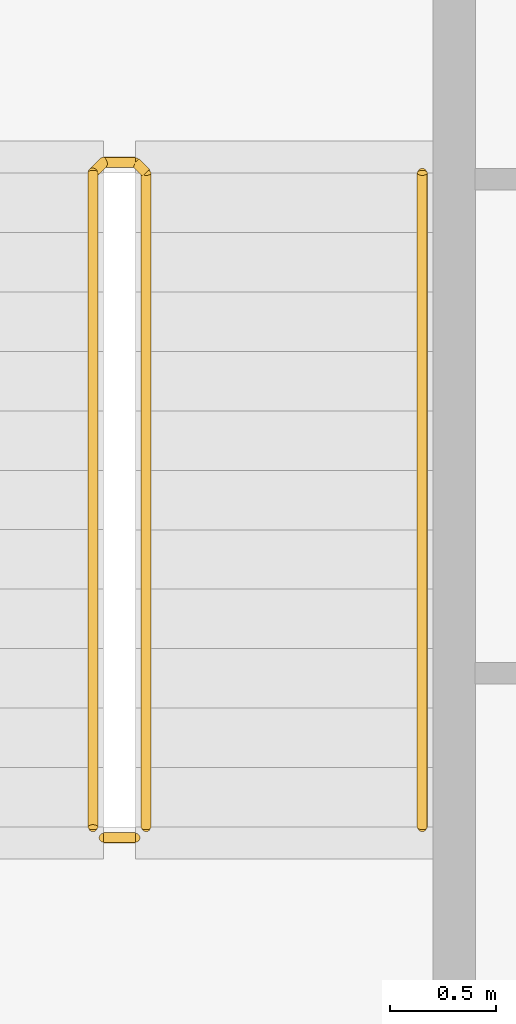
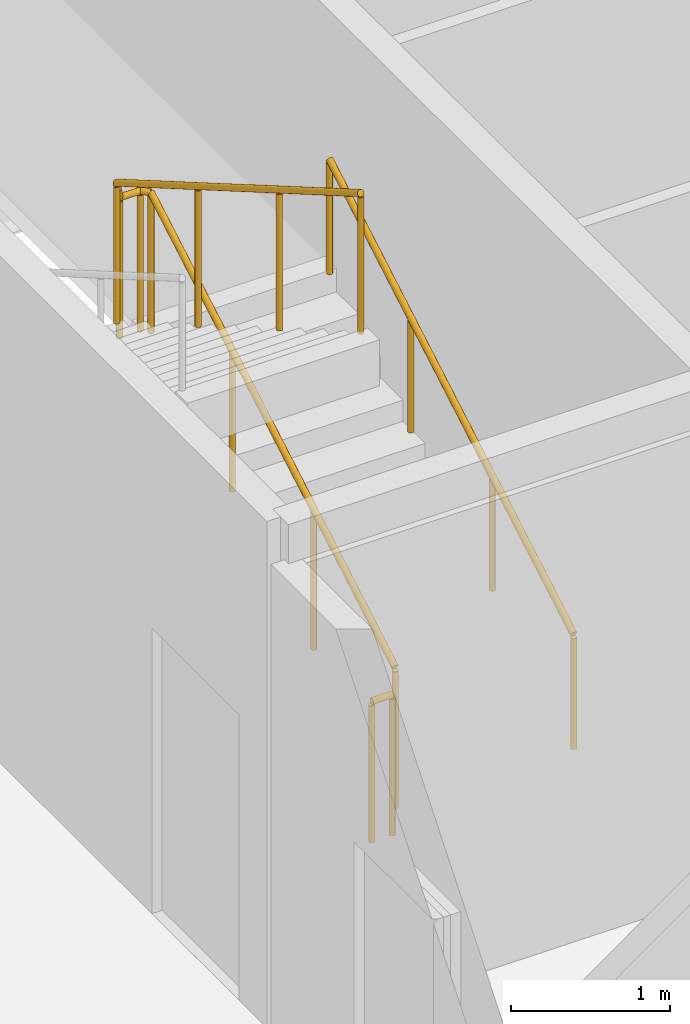
# One storey, part 24 of 25: 3 railings.
"""IFC4 building model written with IfcOpenShell, lengths in metres."""

from ifc_helpers import new_model, si_unit, direction, frame, origin, origin_2d, place, context, subcontext, project, spatial, circle, extrude, material, type_object, element, save


model = new_model("IFC4")

# Units and contexts
model_context = context("Model", 3, precision=1e-05, world=origin(), true_north=direction((0.0, 1.0)))
body_context = subcontext(model_context, "Body", "Model", "MODEL_VIEW")
ifc_project = project(units=[si_unit("LENGTHUNIT", "METRE"), si_unit("AREAUNIT", "SQUARE_METRE"), si_unit("VOLUMEUNIT", "CUBIC_METRE"), si_unit("PLANEANGLEUNIT", "RADIAN"), si_unit("MASSUNIT", "GRAM", prefix="KILO")], contexts=[model_context])

# Site, building, storey
site_placement = place(None, origin())
site = spatial("IfcSite", under=ifc_project, at=site_placement, CompositionType="ELEMENT")
building_placement = place(site_placement, origin())
building = spatial("IfcBuilding", under=site, at=building_placement, Name="Kheshtan School and Residences Tower", CompositionType="ELEMENT")
storey_placement = place(building_placement, frame((0.0, 0.0, 34.39990234375)))
storey = spatial("IfcBuildingStorey", under=building, at=storey_placement, Name="L07", CompositionType="ELEMENT", Elevation=34.39990234375)

# Railings
ifc_material_1 = material(Name="Stainless steel balustrade", Category="steel")
railing_type_1 = type_object("IfcRailingType", Name="Stair guard 1100", PredefinedType="GUARDRAIL", material=ifc_material_1)
railing_1_placement = place(storey_placement, frame((35.0, 80.89990234375, 0.16259765625)))
element("IfcRailing", 1, at=railing_1_placement, inside=storey, type_object=railing_type_1, Name="L07 ST3 stair guard 1", PredefinedType="GUARDRAIL", context=body_context, shape_type="SweptSolid", body=[
    extrude(circle(Radius=0.02392578125, at=origin_2d()), frame((0.0, 0.0, 1.076171875), z_axis=(0.0, 0.864890721111, 0.501960198159), x_axis=(-1.0, 0.0, 0.0)), (0.0, 0.0, 1.0), 3.561279296875),
    extrude(circle(Radius=0.02392578125, at=origin_2d()), frame((0.0, 3.080078125, 2.86376953125), z_axis=(-0.707106781187, 0.707106781187, 0.0), x_axis=(-0.707106781187, -0.707106781187, 0.0)), (0.0, 0.0, 1.0), 0.07080078125),
    extrude(circle(Radius=0.02392578125, at=origin_2d()), frame((-0.050048828125, 3.130126953125, 2.86376953125), z_axis=(-1.0, 0.0, 0.0), x_axis=(0.0, -1.0, 0.0)), (0.0, 0.0, 1.0), 0.14990234375),
    extrude(circle(Radius=0.02392578125, at=origin_2d()), frame((-0.199951171875, 3.130126953125, 2.86376953125), z_axis=(-0.282583949758, -0.282583949758, 0.916674763849), x_axis=(0.707106781187, -0.707106781187, 0.0)), (0.0, 0.0, 1.0), 0.177001953125),
    extrude(circle(Radius=0.02392578125, at=origin_2d()), frame((-0.25, 3.080078125, 3.02587890625), z_axis=(0.0, -0.864890721111, 0.501960198159), x_axis=(1.0, 0.0, 0.0)), (0.0, 0.0, 1.0), 3.561279296875),
    extrude(circle(Radius=0.02099609375, at=origin_2d()), origin(), (0.0, 0.0, 1.0), 1.052001953125),
    extrude(circle(Radius=0.02099609375, at=origin_2d()), frame((0.0, 1.026611328125, 0.595947265625)), (0.0, 0.0, 1.0), 1.052001953125),
    extrude(circle(Radius=0.02099609375, at=origin_2d()), frame((0.0, 2.053466796875, 1.191650390625)), (0.0, 0.0, 1.0), 1.052001953125),
    extrude(circle(Radius=0.02099609375, at=origin_2d()), frame((0.0, 3.080078125, 1.78759765625)), (0.0, 0.0, 1.0), 1.052001953125),
    extrude(circle(Radius=0.02099609375, at=origin_2d()), frame((-0.050048828125, 3.130126953125, 1.78759765625)), (0.0, 0.0, 1.0), 1.052001953125),
    extrude(circle(Radius=0.02099609375, at=origin_2d()), frame((-0.199951171875, 3.130126953125, 1.78759765625)), (0.0, 0.0, 1.0), 1.052001953125),
    extrude(circle(Radius=0.02099609375, at=origin_2d()), frame((-0.25, 3.080078125, 1.949951171875)), (0.0, 0.0, 1.0), 1.052001953125),
    extrude(circle(Radius=0.02099609375, at=origin_2d()), frame((-0.25, 2.053466796875, 2.5458984375)), (0.0, 0.0, 1.0), 1.052001953125),
    extrude(circle(Radius=0.02099609375, at=origin_2d()), frame((-0.25, 1.026611328125, 3.1416015625)), (0.0, 0.0, 1.0), 1.052001953125),
    extrude(circle(Radius=0.02099609375, at=origin_2d()), frame((-0.25, 0.0, 3.737548828125)), (0.0, 0.0, 1.0), 1.052001953125),
])
railing_2_placement = place(storey_placement, frame((34.949951171875, 80.85009765625, 0.0)))
element("IfcRailing", 2, at=railing_2_placement, inside=storey, type_object=railing_type_1, Name="L07 ST3 stair guard 2", PredefinedType="GUARDRAIL", context=body_context, shape_type="SweptSolid", body=[
    extrude(circle(Radius=0.02392578125, at=origin_2d()), frame((0.0, 0.0, 1.076171875), z_axis=(-1.0, 0.0, 0.0), x_axis=(0.0, -1.0, 0.0)), (0.0, 0.0, 1.0), 0.14990234375),
    extrude(circle(Radius=0.02099609375, at=origin_2d()), origin(), (0.0, 0.0, 1.0), 1.052001953125),
    extrude(circle(Radius=0.02099609375, at=origin_2d()), frame((-0.14990234375, 0.0, 0.0)), (0.0, 0.0, 1.0), 1.052001953125),
])
ifc_material_2 = material(Name="Stainless steel handrail", Category="steel")
railing_type_2 = type_object("IfcRailingType", Name="Stair handrail 900", PredefinedType="HANDRAIL", material=ifc_material_2)
railing_3_placement = place(storey_placement, frame((36.300048828125, 80.89990234375, 0.16259765625)))
element("IfcRailing", 3, at=railing_3_placement, inside=storey, type_object=railing_type_2, Name="L07 ST3 stair handrail 1", PredefinedType="HANDRAIL", context=body_context, shape_type="SweptSolid", body=[
    extrude(circle(Radius=0.02392578125, at=origin_2d()), frame((0.0, 0.0, 0.8759765625), z_axis=(0.0, 0.864890721111, 0.501960198159), x_axis=(-1.0, 0.0, 0.0)), (0.0, 0.0, 1.0), 3.561279296875),
    extrude(circle(Radius=0.02099609375, at=origin_2d()), origin(), (0.0, 0.0, 1.0), 0.851806640625),
    extrude(circle(Radius=0.02099609375, at=origin_2d()), frame((0.0, 1.026611328125, 0.595947265625)), (0.0, 0.0, 1.0), 0.851806640625),
    extrude(circle(Radius=0.02099609375, at=origin_2d()), frame((0.0, 2.053466796875, 1.191650390625)), (0.0, 0.0, 1.0), 0.851806640625),
    extrude(circle(Radius=0.02099609375, at=origin_2d()), frame((0.0, 3.080078125, 1.78759765625)), (0.0, 0.0, 1.0), 0.851806640625),
])

save(model, "model.ifc")
